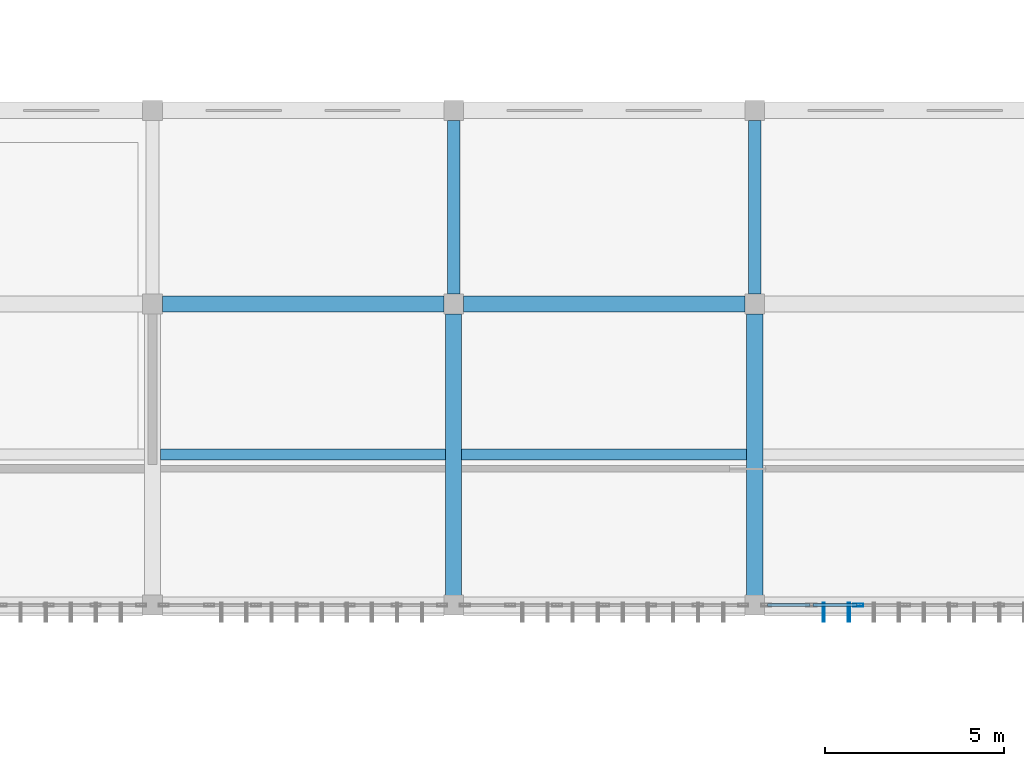
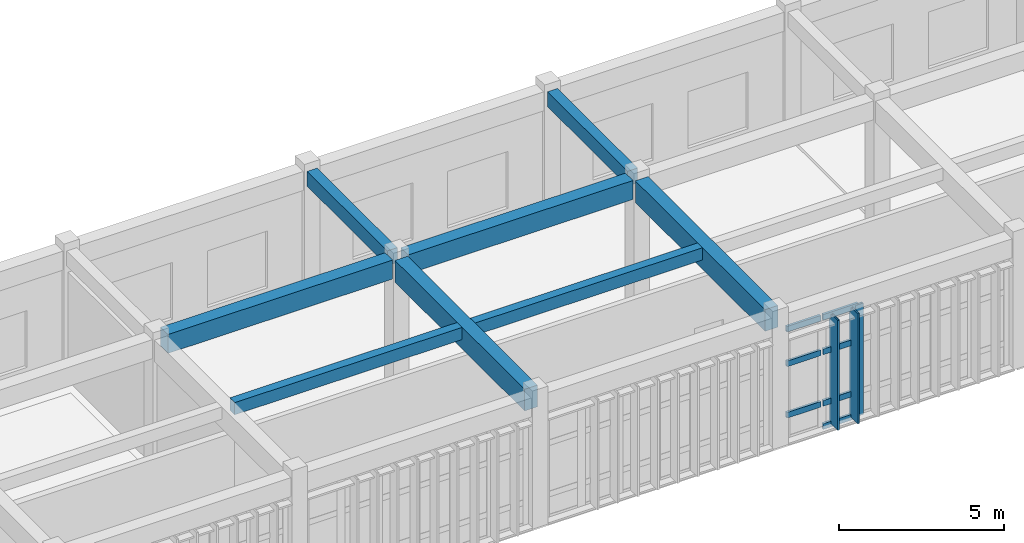
# One storey, part 49 of 106: 10 members, 8 beams, 1 element without a shape of its own.
"""IFC4 building model written with IfcOpenShell, lengths in metres."""

from ifc_helpers import new_model, si_unit, direction, frame, origin, origin_2d, place, context, subcontext, project, spatial, rectangle, hollow_rectangle, extrude, material, layer, layer_set, material_profile, profile_set, type_object, element, aggregate, save


model = new_model("IFC4")

# Units and contexts
model_context = context("Model", 3, precision=1e-05, world=origin(), true_north=direction((0.0, 1.0)))
body_context = subcontext(model_context, "Body", "Model", "MODEL_VIEW")
ifc_project = project(units=[si_unit("LENGTHUNIT", "METRE"), si_unit("AREAUNIT", "SQUARE_METRE"), si_unit("VOLUMEUNIT", "CUBIC_METRE"), si_unit("PLANEANGLEUNIT", "RADIAN"), si_unit("MASSUNIT", "GRAM", prefix="KILO")], contexts=[model_context])

# Site, building, storey
site_placement = place(None, origin())
site = spatial("IfcSite", under=ifc_project, at=site_placement, CompositionType="ELEMENT")
building_placement = place(site_placement, origin())
building = spatial("IfcBuilding", under=site, at=building_placement, Name="Krzemoval Escarpment Law Courts", CompositionType="ELEMENT")
storey_placement = place(building_placement, frame((0.0, 0.0, 5.10009765625)))
storey = spatial("IfcBuildingStorey", under=building, at=storey_placement, Name="L01", CompositionType="ELEMENT", Elevation=5.10009765625)

# Beams
ifc_material_1 = material(Name="Concrete C40/50", Category="concrete")
ifc_material_profile_1 = material_profile(ifc_material_1, rectangle(XDim=0.35009765625, YDim=0.550048828125, at=origin_2d()), Name="RCB 350x550")
ifc_profile_set_1 = profile_set([ifc_material_profile_1], Name="Concrete C40/50")
beam_type_1 = type_object("IfcBeamType", Name="BM-RC-350x550", PredefinedType="BEAM", material=ifc_profile_set_1)
for number, where, z_axis, x_axis, name in (
    (1, (100.800048828125, 108.27490234375, 4.544921875), (0.0, 1.0, 0.0), (-1.0, 0.0, 0.0), "Beam FG-L01-1493"),
    (2, (109.199951171875, 108.27490234375, 4.544921875), (0.0, 1.0, 0.0), (-1.0, 0.0, 0.0), "Beam FG-L01-1500"),
):
    element("IfcBeam", number, at=place(storey_placement, frame(where, z_axis=z_axis, x_axis=x_axis)), inside=storey, type_object=beam_type_1, Name=name, PredefinedType="BEAM", context=body_context, shape_type="SweptSolid", body=[
        extrude(rectangle(XDim=0.35009765625, YDim=0.550048828125, at=origin_2d()), origin(), (0.0, 0.0, 1.0), 4.85009765625),
    ])
ifc_material_2 = material(Name="Concrete C40/50", Category="concrete")
ifc_material_profile_2 = material_profile(ifc_material_2, rectangle(XDim=0.449951171875, YDim=0.699951171875, at=origin_2d()), Name="RCB 450x700")
ifc_profile_set_2 = profile_set([ifc_material_profile_2], Name="Concrete C40/50")
beam_type_2 = type_object("IfcBeamType", Name="BM-RC-450x700", PredefinedType="BEAM", material=ifc_profile_set_2)
beam_1_placement = place(storey_placement, frame((92.675048828125, 108.0, 4.469970703125), z_axis=(1.0, 0.0, 0.0), x_axis=(0.0, 1.0, 0.0)))
element("IfcBeam", 3, at=beam_1_placement, inside=storey, type_object=beam_type_2, Name="Beam FG-L01-1329", PredefinedType="BEAM", context=body_context, shape_type="SweptSolid", body=[
    extrude(rectangle(XDim=0.449951171875, YDim=0.699951171875, at=origin_2d()), origin(), (0.0, 0.0, 1.0), 7.849853515625),
])
beam_2_placement = place(storey_placement, frame((101.074951171875, 108.0, 4.469970703125), z_axis=(1.0, 0.0, 0.0), x_axis=(0.0, 1.0, 0.0)))
element("IfcBeam", 4, at=beam_2_placement, inside=storey, type_object=beam_type_2, Name="Beam FG-L01-1330", PredefinedType="BEAM", context=body_context, shape_type="SweptSolid", body=[
    extrude(rectangle(XDim=0.449951171875, YDim=0.699951171875, at=origin_2d()), origin(), (0.0, 0.0, 1.0), 7.85009765625),
])
ifc_material_3 = material(Name="Concrete C40/50", Category="concrete")
ifc_material_profile_3 = material_profile(ifc_material_3, rectangle(XDim=0.449951171875, YDim=0.800048828125, at=origin_2d()), Name="RCB 450x800")
ifc_profile_set_3 = profile_set([ifc_material_profile_3], Name="Concrete C40/50")
beam_type_3 = type_object("IfcBeamType", Name="BM-RC-450x800", PredefinedType="BEAM", material=ifc_profile_set_3)
for number, where, z_axis, x_axis, name in (
    (5, (100.800048828125, 99.875, 4.419921875), (0.0, 1.0, 0.0), (-1.0, 0.0, 0.0), "Beam FG-L01-1492"),
    (6, (109.199951171875, 99.875, 4.419921875), (0.0, 1.0, 0.0), (-1.0, 0.0, 0.0), "Beam FG-L01-1499"),
):
    element("IfcBeam", number, at=place(storey_placement, frame(where, z_axis=z_axis, x_axis=x_axis)), inside=storey, type_object=beam_type_3, Name=name, PredefinedType="BEAM", context=body_context, shape_type="SweptSolid", body=[
        extrude(rectangle(XDim=0.449951171875, YDim=0.800048828125, at=origin_2d()), origin(), (0.0, 0.0, 1.0), 7.85009765625),
    ])

# Curtain wall, members
ifc_material_4 = material(Name="Aluminium 6063-T6", Category="aluminium")
ifc_layer = layer(ifc_material_4, 0.280029296875)
ifc_layer_set = layer_set([ifc_layer], Name="Aluminium 6063-T6")
curtain_wall_type = type_object("IfcCurtainWallType", Name="CW-HALL-5100", PredefinedType="USERDEFINED", material=ifc_layer_set)
curtain_wall_placement = place(storey_placement, origin())
curtain_wall = element("IfcCurtainWall", 7, at=curtain_wall_placement, inside=storey, type_object=curtain_wall_type, Name="Unitised Curtain Wall FCW-L01-047", ObjectType="UNITISED_CURTAIN_WALL", PredefinedType="USERDEFINED")
ifc_material_5 = material(Name="Aluminium 6063-T6", Category="aluminium")
ifc_material_profile_4 = material_profile(ifc_material_5, hollow_rectangle(XDim=0.0849609375, YDim=0.280029296875, WallThickness=0.005615234375, at=origin_2d()), Name="ALU M85x280")
ifc_profile_set_4 = profile_set([ifc_material_profile_4], Name="Aluminium 6063-T6")
member_type_1 = type_object("IfcMemberType", Name="CWM-85x280", PredefinedType="MULLION", material=ifc_profile_set_4)
member_1_placement = place(storey_placement, frame((112.091552734375, 99.60009765625, 0.0), z_axis=(0.0, 0.0, 1.0), x_axis=(0.0, -1.0, 0.0)))
member_1 = element("IfcMember", 8, at=member_1_placement, type_object=member_type_1, Name="FCW-L01-047 mullion 5", PredefinedType="MULLION", context=body_context, shape_type="SweptSolid", body=[
    extrude(hollow_rectangle(XDim=0.0849609375, YDim=0.280029296875, WallThickness=0.005615234375, at=origin_2d()), origin(), (0.0, 0.0, 1.0), 4.119873046875),
])
ifc_material_6 = material(Name="Aluminium 6063-T6", Category="aluminium")
ifc_material_profile_5 = material_profile(ifc_material_6, hollow_rectangle(XDim=0.0849609375, YDim=0.2099609375, WallThickness=0.005615234375, at=origin_2d()), Name="ALU T85x210")
ifc_profile_set_5 = profile_set([ifc_material_profile_5], Name="Aluminium 6063-T6")
member_type_2 = type_object("IfcMemberType", Name="CWT-85x210", PredefinedType="USERDEFINED", material=ifc_profile_set_5)
member_2_placement = place(storey_placement, frame((112.049072265625, 99.60009765625, 0.04248046875), z_axis=(-1.0, 0.0, 0.0), x_axis=(0.0, -1.0, 0.0)))
member_2 = element("IfcMember", 9, at=member_2_placement, type_object=member_type_2, Name="FCW-L01-047 transom 5.1", ObjectType="TRANSOM", PredefinedType="USERDEFINED", context=body_context, shape_type="SweptSolid", body=[
    extrude(hollow_rectangle(XDim=0.0849609375, YDim=0.2099609375, WallThickness=0.005615234375, at=origin_2d()), origin(), (0.0, 0.0, 1.0), 1.22314453125),
])
member_3_placement = place(storey_placement, frame((112.049072265625, 99.60009765625, 0.89990234375), z_axis=(-1.0, 0.0, 0.0), x_axis=(0.0, -1.0, 0.0)))
member_3 = element("IfcMember", 10, at=member_3_placement, type_object=member_type_2, Name="FCW-L01-047 transom 5.2", ObjectType="TRANSOM", PredefinedType="USERDEFINED", context=body_context, shape_type="SweptSolid", body=[
    extrude(hollow_rectangle(XDim=0.0849609375, YDim=0.2099609375, WallThickness=0.005615234375, at=origin_2d()), origin(), (0.0, 0.0, 1.0), 1.22314453125),
])
member_4_placement = place(storey_placement, frame((112.049072265625, 99.60009765625, 2.7998046875), z_axis=(-1.0, 0.0, 0.0), x_axis=(0.0, -1.0, 0.0)))
member_4 = element("IfcMember", 11, at=member_4_placement, type_object=member_type_2, Name="FCW-L01-047 transom 5.3", ObjectType="TRANSOM", PredefinedType="USERDEFINED", context=body_context, shape_type="SweptSolid", body=[
    extrude(hollow_rectangle(XDim=0.0849609375, YDim=0.2099609375, WallThickness=0.005615234375, at=origin_2d()), origin(), (0.0, 0.0, 1.0), 1.22314453125),
])
member_5_placement = place(storey_placement, frame((112.049072265625, 99.60009765625, 4.077392578125), z_axis=(-1.0, 0.0, 0.0), x_axis=(0.0, -1.0, 0.0)))
member_5 = element("IfcMember", 12, at=member_5_placement, type_object=member_type_2, Name="FCW-L01-047 transom 5.4", ObjectType="TRANSOM", PredefinedType="USERDEFINED", context=body_context, shape_type="SweptSolid", body=[
    extrude(hollow_rectangle(XDim=0.0849609375, YDim=0.2099609375, WallThickness=0.005615234375, at=origin_2d()), origin(), (0.0, 0.0, 1.0), 1.22314453125),
])
member_6_placement = place(storey_placement, frame((110.74072265625, 99.60009765625, 0.89990234375), z_axis=(-1.0, 0.0, 0.0), x_axis=(0.0, -1.0, 0.0)))
member_6 = element("IfcMember", 13, at=member_6_placement, type_object=member_type_2, Name="FCW-L01-047 transom 6.2", ObjectType="TRANSOM", PredefinedType="USERDEFINED", context=body_context, shape_type="SweptSolid", body=[
    extrude(hollow_rectangle(XDim=0.0849609375, YDim=0.2099609375, WallThickness=0.005615234375, at=origin_2d()), origin(), (0.0, 0.0, 1.0), 1.1806640625),
])
member_7_placement = place(storey_placement, frame((110.74072265625, 99.60009765625, 2.7998046875), z_axis=(-1.0, 0.0, 0.0), x_axis=(0.0, -1.0, 0.0)))
member_7 = element("IfcMember", 14, at=member_7_placement, type_object=member_type_2, Name="FCW-L01-047 transom 6.3", ObjectType="TRANSOM", PredefinedType="USERDEFINED", context=body_context, shape_type="SweptSolid", body=[
    extrude(hollow_rectangle(XDim=0.0849609375, YDim=0.2099609375, WallThickness=0.005615234375, at=origin_2d()), origin(), (0.0, 0.0, 1.0), 1.1806640625),
])
member_8_placement = place(storey_placement, frame((110.74072265625, 99.60009765625, 4.077392578125), z_axis=(-1.0, 0.0, 0.0), x_axis=(0.0, -1.0, 0.0)))
member_8 = element("IfcMember", 15, at=member_8_placement, type_object=member_type_2, Name="FCW-L01-047 transom 6.4", ObjectType="TRANSOM", PredefinedType="USERDEFINED", context=body_context, shape_type="SweptSolid", body=[
    extrude(hollow_rectangle(XDim=0.0849609375, YDim=0.2099609375, WallThickness=0.005615234375, at=origin_2d()), origin(), (0.0, 0.0, 1.0), 1.1806640625),
])
aggregate(curtain_wall, [member_1, member_2, member_3, member_4, member_5, member_6, member_7, member_8])

# Beams
ifc_material_7 = material(Name="Concrete C40/50", Category="concrete")
ifc_material_profile_6 = material_profile(ifc_material_7, rectangle(XDim=0.300048828125, YDim=0.449951171875, at=origin_2d()), Name="RCB 300x450")
ifc_profile_set_6 = profile_set([ifc_material_profile_6], Name="Concrete C40/50")
beam_type_4 = type_object("IfcBeamType", Name="JST-RC-300x450", PredefinedType="JOIST", material=ifc_profile_set_6)
beam_3_placement = place(storey_placement, frame((92.625, 103.800048828125, 4.594970703125), z_axis=(1.0, 0.0, 0.0), x_axis=(0.0, 1.0, 0.0)))
element("IfcBeam", 16, at=beam_3_placement, inside=storey, type_object=beam_type_4, Name="Secondary Joist FJ-L01-1665", PredefinedType="JOIST", context=body_context, shape_type="SweptSolid", body=[
    extrude(rectangle(XDim=0.300048828125, YDim=0.449951171875, at=origin_2d()), origin(), (0.0, 0.0, 1.0), 7.949951171875),
])
beam_4_placement = place(storey_placement, frame((101.02490234375, 103.800048828125, 4.594970703125), z_axis=(1.0, 0.0, 0.0), x_axis=(0.0, 1.0, 0.0)))
element("IfcBeam", 17, at=beam_4_placement, inside=storey, type_object=beam_type_4, Name="Secondary Joist FJ-L01-1670", PredefinedType="JOIST", context=body_context, shape_type="SweptSolid", body=[
    extrude(rectangle(XDim=0.300048828125, YDim=0.449951171875, at=origin_2d()), origin(), (0.0, 0.0, 1.0), 7.9501953125),
])

# Members
ifc_material_8 = material(Name="Anodised Aluminium Alloy 6063-T6", Category="aluminium")
ifc_material_profile_7 = material_profile(ifc_material_8, hollow_rectangle(XDim=0.06494140625, YDim=0.52001953125, WallThickness=0.00439453125, at=origin_2d()), Name="ALU LVR 65x520")
ifc_profile_set_7 = profile_set([ifc_material_profile_7], Name="Anodised Aluminium Alloy 6063-T6")
member_type_3 = type_object("IfcMemberType", Name="LVR-ALU-520", PredefinedType="USERDEFINED", material=ifc_profile_set_7)
for number, where, z_axis, x_axis, name in (
    (18, (111.824951171875, 99.39990234375, 0.059814453125), (0.0, 0.0, 1.0), (1.0, 0.0, 0.0), "Sunshade Louvre Fin FLV-L01-0200"),
    (19, (111.125, 99.39990234375, 0.059814453125), (0.0, 0.0, 1.0), (1.0, 0.0, 0.0), "Sunshade Louvre Fin FLV-L01-0201"),
):
    element("IfcMember", number, at=place(storey_placement, frame(where, z_axis=z_axis, x_axis=x_axis)), inside=storey, type_object=member_type_3, Name=name, ObjectType="SUNSHADE_LOUVRE", PredefinedType="USERDEFINED", context=body_context, shape_type="SweptSolid", body=[
        extrude(hollow_rectangle(XDim=0.06494140625, YDim=0.52001953125, WallThickness=0.00439453125, at=origin_2d()), origin(), (0.0, 0.0, 1.0), 4.06005859375),
    ])

save(model, "model.ifc")
